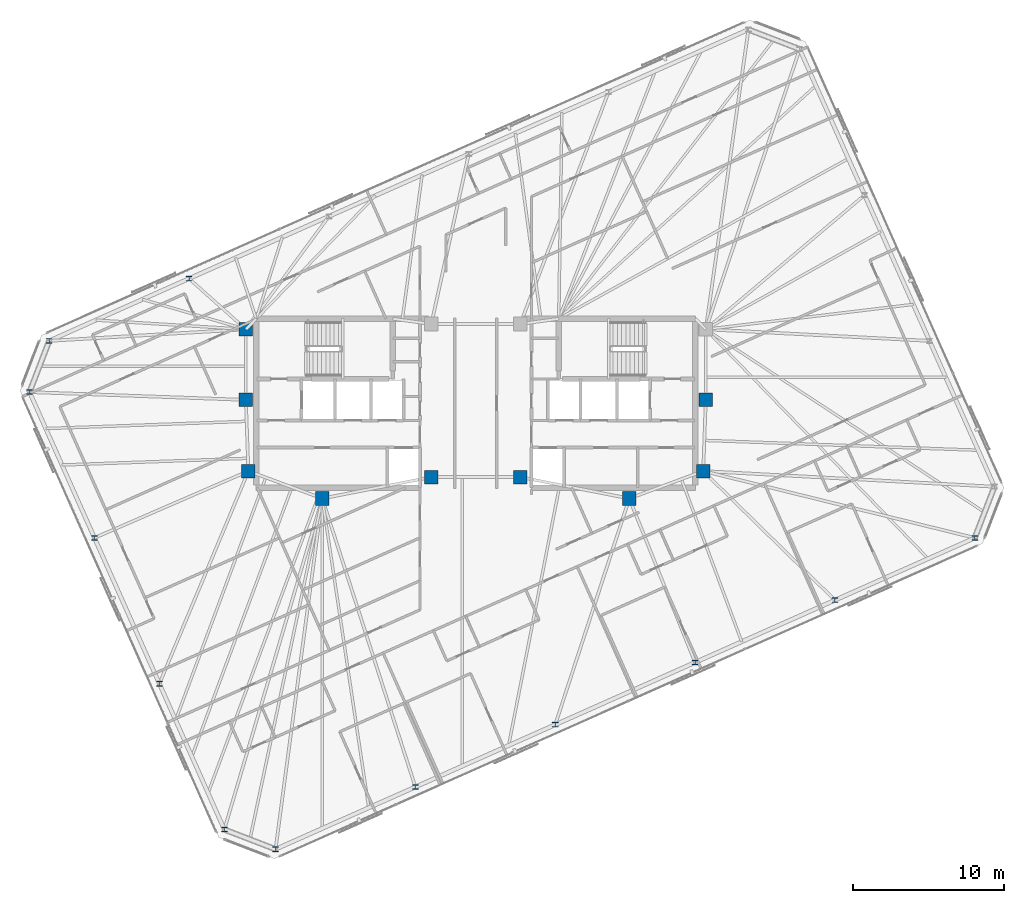
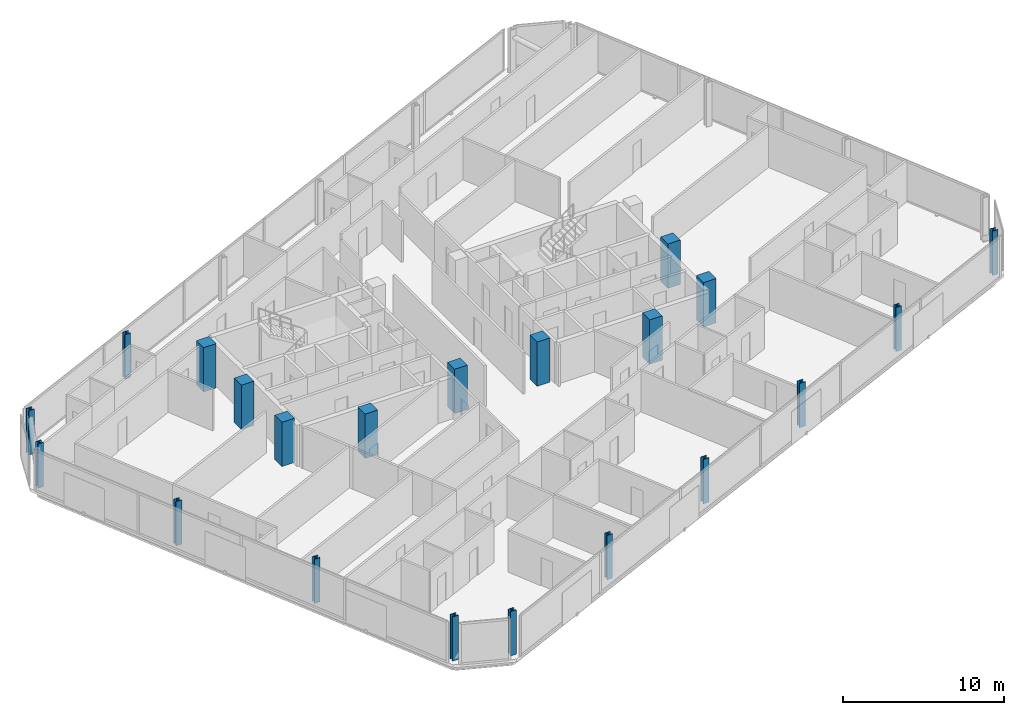
# One storey, part 1 of 19: 21 columns.
"""IFC4 building model written with IfcOpenShell, lengths in metres."""

from ifc_helpers import new_model, si_unit, direction, frame, origin, origin_2d, place, context, subcontext, project, spatial, rectangle, i_section, extrude, material, material_profile, profile_set, type_object, element, save


model = new_model("IFC4")

# Units and contexts
model_context = context("Model", 3, precision=1e-05, world=origin(), true_north=direction((0.0, 1.0)))
body_context = subcontext(model_context, "Body", "Model", "MODEL_VIEW")
ifc_project = project(units=[si_unit("LENGTHUNIT", "METRE"), si_unit("AREAUNIT", "SQUARE_METRE"), si_unit("VOLUMEUNIT", "CUBIC_METRE"), si_unit("PLANEANGLEUNIT", "RADIAN"), si_unit("MASSUNIT", "GRAM", prefix="KILO")], contexts=[model_context])

# Site, building, storey
site_placement = place(None, origin())
site = spatial("IfcSite", under=ifc_project, at=site_placement, CompositionType="ELEMENT")
building_placement = place(site_placement, origin())
building = spatial("IfcBuilding", under=site, at=building_placement, Name="Menara Jurai Vektor", CompositionType="ELEMENT")
storey_placement = place(building_placement, frame((0.0, 0.0, 268.89990234375)))
storey = spatial("IfcBuildingStorey", under=building, at=storey_placement, Name="L72", CompositionType="ELEMENT", Elevation=268.89990234375)

# Columns
ifc_material_1 = material(Name="Concrete C50/60", Category="concrete")
ifc_material_profile_1 = material_profile(ifc_material_1, rectangle(XDim=0.89990234375, YDim=0.89990234375, at=origin_2d()), Name="RC 900x900")
ifc_profile_set_1 = profile_set([ifc_material_profile_1], Name="Concrete C50/60")
column_type_1 = type_object("IfcColumnType", Name="STR-COL-RC900", PredefinedType="COLUMN", material=ifc_profile_set_1)
for number, where, z_axis, x_axis, name in (
    (1, (-15.25, 4.89990234375, 0.0), (0.0, 0.0, 1.0), (1.0, 0.0, 0.0), "Core Spine Column CW-NW L72"),
    (2, (-15.25, 0.219970703125, 0.0), (0.0, 0.0, 1.0), (1.0, 0.0, 0.0), "Core Spine Column CW-WM L72"),
    (3, (-15.080078125, -4.5, 0.0), (0.0, 0.0, 1.0), (1.0, 0.0, 0.0), "Core Spine Column CW-SW L72"),
    (4, (-10.179931640625, -6.320068359375, 0.0), (0.0, 0.0, 1.0), (1.0, 0.0, 0.0), "Core Spine Column CW-SM L72"),
    (5, (-2.949951171875, -4.89990234375, 0.0), (0.0, 0.0, 1.0), (1.0, 0.0, 0.0), "Core Spine Column CW-SE L72"),
    (6, (15.25, 0.219970703125, 0.0), (0.0, 0.0, 1.0), (1.0, 0.0, 0.0), "Core Spine Column CE-EM L72"),
    (7, (15.080078125, -4.5, 0.0), (0.0, 0.0, 1.0), (1.0, 0.0, 0.0), "Core Spine Column CE-SE L72"),
    (8, (10.179931640625, -6.320068359375, 0.0), (0.0, 0.0, 1.0), (1.0, 0.0, 0.0), "Core Spine Column CE-SM L72"),
    (9, (2.949951171875, -4.89990234375, 0.0), (0.0, 0.0, 1.0), (1.0, 0.0, 0.0), "Core Spine Column CE-SW L72"),
):
    element("IfcColumn", number, at=place(storey_placement, frame(where, z_axis=z_axis, x_axis=x_axis)), inside=storey, type_object=column_type_1, Name=name, PredefinedType="COLUMN", context=body_context, shape_type="SweptSolid", body=[
        extrude(rectangle(XDim=0.89990234375, YDim=0.89990234375, at=origin_2d()), origin(), (0.0, 0.0, 1.0), 3.35009765625),
    ])
ifc_material_2 = material(Name="Steel S460", Category="steel")
ifc_material_profile_2 = material_profile(ifc_material_2, i_section(OverallWidth=0.40087890625, OverallDepth=0.3349609375, WebThickness=0.035888671875, FlangeThickness=0.05810546875, FilletRadius=0.014892578125, at=origin_2d()), Name="HD 400x463")
ifc_profile_set_2 = profile_set([ifc_material_profile_2], Name="Steel S460")
column_type_2 = type_object("IfcColumnType", Name="STR-EXO-BLK5", PredefinedType="COLUMN", material=ifc_profile_set_2)
for number, where, z_axis, x_axis, name in (
    (10, (-13.279541015625, -29.576904296875, 0.0), (0.0, 0.0, 1.0), (1.0, 0.0, 0.0), "Exoskeleton Column BLK5-S1 L72"),
    (11, (-4.006103515625, -25.4482421875, 0.0), (0.0, 0.0, 1.0), (1.0, 0.0, 0.0), "Exoskeleton Column BLK5-S2 L72"),
    (12, (5.267578125, -21.3193359375, 0.0), (0.0, 0.0, 1.0), (1.0, 0.0, 0.0), "Exoskeleton Column BLK5-S3 L72"),
    (13, (14.541015625, -17.1904296875, 0.0), (0.0, 0.0, 1.0), (1.0, 0.0, 0.0), "Exoskeleton Column BLK5-S4 L72"),
    (14, (23.814453125, -13.061767578125, 0.0), (0.0, 0.0, 1.0), (1.0, 0.0, 0.0), "Exoskeleton Column BLK5-S5 L72"),
    (15, (33.088134765625, -8.932861328125, 0.0), (0.0, 0.0, 1.0), (1.0, 0.0, 0.0), "Exoskeleton Column BLK5-S6 L72"),
    (16, (-19.0146484375, 8.26171875, 0.0), (0.0, 0.0, 1.0), (1.0, 0.0, 0.0), "Exoskeleton Column BLK5-N5 L72"),
    (17, (-28.2880859375, 4.1328125, 0.0), (0.0, 0.0, 1.0), (1.0, 0.0, 0.0), "Exoskeleton Column BLK5-N6 L72"),
    (18, (-29.591796875, 0.73681640625, 0.0), (0.0, 0.0, 1.0), (1.0, 0.0, 0.0), "Exoskeleton Column BLK5-W1 L72"),
    (19, (-25.286376953125, -8.933349609375, 0.0), (0.0, 0.0, 1.0), (1.0, 0.0, 0.0), "Exoskeleton Column BLK5-W2 L72"),
    (20, (-20.98095703125, -18.603271484375, 0.0), (0.0, 0.0, 1.0), (1.0, 0.0, 0.0), "Exoskeleton Column BLK5-W3 L72"),
    (21, (-16.675537109375, -28.2734375, 0.0), (0.0, 0.0, 1.0), (1.0, 0.0, 0.0), "Exoskeleton Column BLK5-W4 L72"),
):
    element("IfcColumn", number, at=place(storey_placement, frame(where, z_axis=z_axis, x_axis=x_axis)), inside=storey, type_object=column_type_2, Name=name, PredefinedType="COLUMN", context=body_context, shape_type="SweptSolid", body=[
        extrude(i_section(OverallWidth=0.40087890625, OverallDepth=0.3349609375, WebThickness=0.035888671875, FlangeThickness=0.05810546875, FilletRadius=0.014892578125, at=origin_2d()), origin(), (0.0, 0.0, 1.0), 3.35009765625),
    ])

save(model, "model.ifc")
